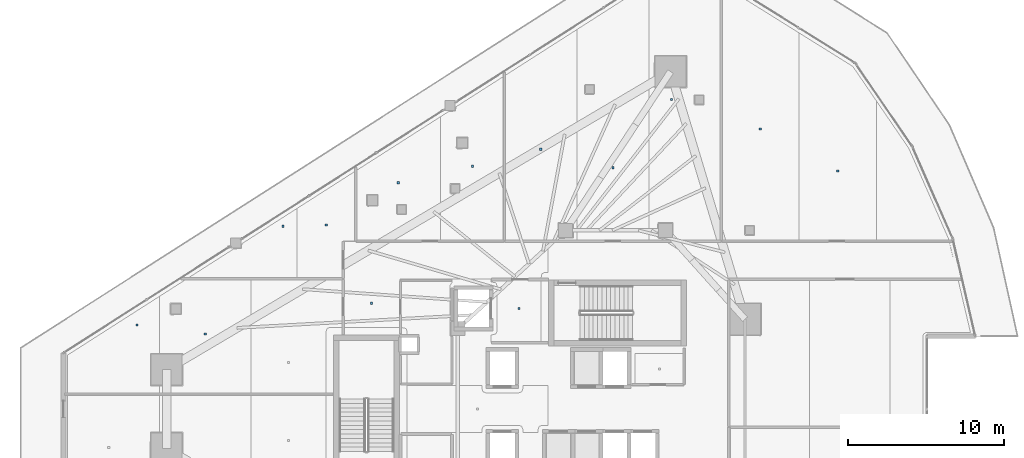
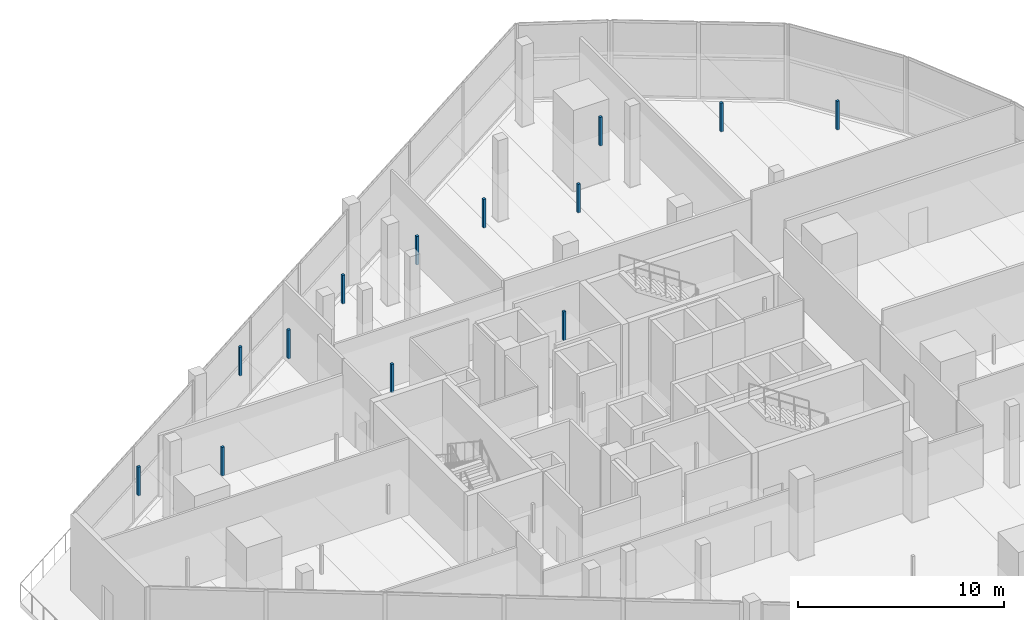
# One storey, part 28 of 36: 13 discrete accessories.
"""IFC4 building model written with IfcOpenShell, lengths in metres."""

from ifc_helpers import new_model, si_unit, direction, frame, origin, origin_2d, place, context, subcontext, project, spatial, rectangle, extrude, material, type_object, element, save


model = new_model("IFC4")

# Units and contexts
model_context = context("Model", 3, precision=1e-05, world=origin(), true_north=direction((0.0, 1.0)))
body_context = subcontext(model_context, "Body", "Model", "MODEL_VIEW")
ifc_project = project(units=[si_unit("LENGTHUNIT", "METRE"), si_unit("AREAUNIT", "SQUARE_METRE"), si_unit("VOLUMEUNIT", "CUBIC_METRE"), si_unit("PLANEANGLEUNIT", "RADIAN"), si_unit("MASSUNIT", "GRAM", prefix="KILO")], contexts=[model_context])

# Site, building, storey
site_placement = place(None, origin())
site = spatial("IfcSite", under=ifc_project, at=site_placement, CompositionType="ELEMENT")
building_placement = place(site_placement, origin())
building = spatial("IfcBuilding", under=site, at=building_placement, Name="Qorvath Tower", CompositionType="ELEMENT")
storey_placement = place(building_placement, frame((0.0, 0.0, 180.0)))
storey = spatial("IfcBuildingStorey", under=building, at=storey_placement, Name="L41", CompositionType="ELEMENT", Elevation=180.0)

# Discrete accessories
ifc_material = material(Name="Galvanised steel bracket", Category="steel")
discrete_accessory_type = type_object("IfcDiscreteAccessoryType", Name="DA-BRACKET", PredefinedType="BRACKET", material=ifc_material)
for number, where, z_axis, x_axis, name in (
    (1, (-26.590087890625, 6.449951171875, 2.85986328125), (0.0, 0.0, 1.0), (1.0, 0.0, 0.0), "Acoustic Ceiling Suspension Hanger T1-L41-001"),
    (2, (-36.040283203125, 6.782470703125, 2.85986328125), (0.0, 0.0, 1.0), (1.0, 0.0, 0.0), "Acoustic Ceiling Suspension Hanger T1-L41-007"),
    (3, (-41.708251953125, 11.721923828125, 2.85986328125), (0.0, 0.0, 1.0), (1.0, 0.0, 0.0), "Acoustic Ceiling Suspension Hanger T1-L41-009"),
    (4, (-38.94482421875, 11.8056640625, 2.85986328125), (0.0, 0.0, 1.0), (1.0, 0.0, 0.0), "Acoustic Ceiling Suspension Hanger T1-L41-010"),
    (5, (-34.329345703125, 14.507080078125, 2.85986328125), (0.0, 0.0, 1.0), (1.0, 0.0, 0.0), "Acoustic Ceiling Suspension Hanger T1-L41-011"),
    (6, (-29.569580078125, 15.55810546875, 2.85986328125), (0.0, 0.0, 1.0), (1.0, 0.0, 0.0), "Acoustic Ceiling Suspension Hanger T1-L41-012"),
    (7, (-25.19384765625, 16.65185546875, 2.85986328125), (0.0, 0.0, 1.0), (1.0, 0.0, 0.0), "Acoustic Ceiling Suspension Hanger T1-L41-013"),
    (8, (-20.567626953125, 15.46142578125, 2.85986328125), (0.0, 0.0, 1.0), (1.0, 0.0, 0.0), "Acoustic Ceiling Suspension Hanger T1-L41-014"),
    (9, (-16.813232421875, 19.83935546875, 2.85986328125), (0.0, 0.0, 1.0), (1.0, 0.0, 0.0), "Acoustic Ceiling Suspension Hanger T1-L41-015"),
    (10, (-11.125732421875, 17.939208984375, 2.85986328125), (0.0, 0.0, 1.0), (1.0, 0.0, 0.0), "Acoustic Ceiling Suspension Hanger T1-L41-016"),
    (11, (-6.15771484375, 15.250244140625, 2.85986328125), (0.0, 0.0, 1.0), (1.0, 0.0, 0.0), "Acoustic Ceiling Suspension Hanger T1-L41-017"),
    (12, (-51.06396484375, 5.393798828125, 2.85986328125), (0.0, 0.0, 1.0), (1.0, 0.0, 0.0), "Acoustic Ceiling Suspension Hanger T1-L41-031"),
    (13, (-46.69384765625, 4.804931640625, 2.85986328125), (0.0, 0.0, 1.0), (1.0, 0.0, 0.0), "Acoustic Ceiling Suspension Hanger T1-L41-032"),
):
    element("IfcDiscreteAccessory", number, at=place(storey_placement, frame(where, z_axis=z_axis, x_axis=x_axis)), inside=storey, type_object=discrete_accessory_type, Name=name, PredefinedType="NOTDEFINED", context=body_context, shape_type="SweptSolid", body=[
        extrude(rectangle(XDim=0.139892578125, YDim=0.139892578125, at=origin_2d()), origin(), (0.0, 0.0, 1.0), 1.699951171875),
    ])

save(model, "model.ifc")
